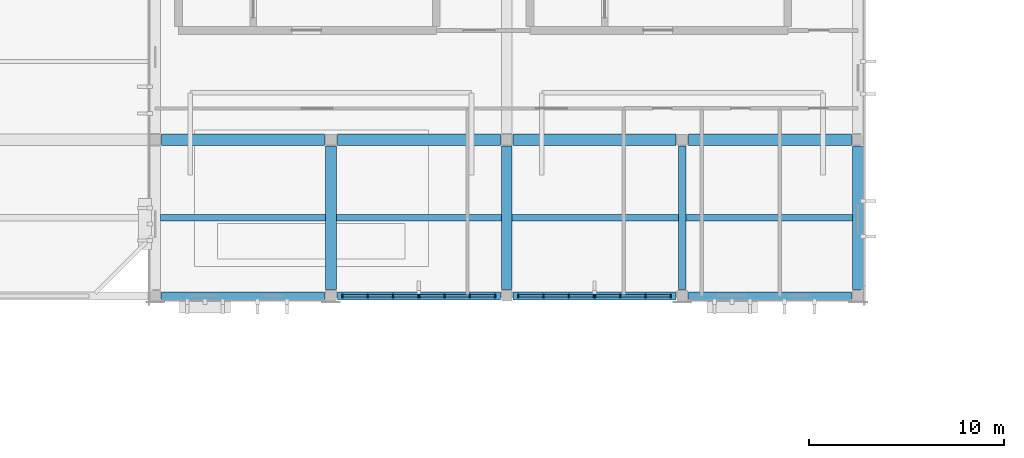
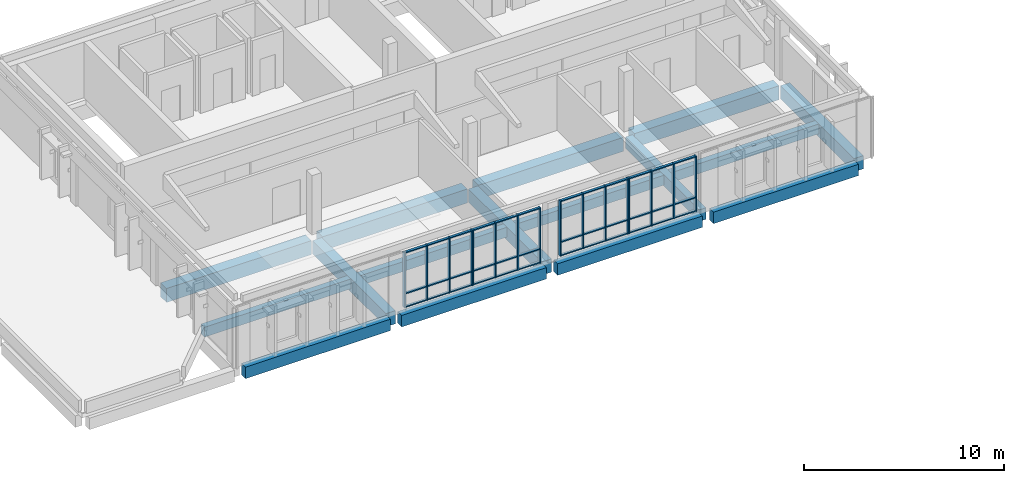
# One storey, part 2 of 12: 52 members, 16 beams, 4 elements without a shape of their own.
"""IFC4 building model written with IfcOpenShell, lengths in metres."""

from ifc_helpers import new_model, si_unit, direction, frame, origin, origin_2d, place, context, subcontext, project, spatial, rectangle, extrude, material, material_profile, profile_set, type_object, element, aggregate, save


model = new_model("IFC4")

# Units and contexts
model_context = context("Model", 3, precision=1e-05, world=origin(), true_north=direction((0.0, 1.0)))
body_context = subcontext(model_context, "Body", "Model", "MODEL_VIEW")
ifc_project = project(units=[si_unit("LENGTHUNIT", "METRE"), si_unit("AREAUNIT", "SQUARE_METRE"), si_unit("VOLUMEUNIT", "CUBIC_METRE"), si_unit("PLANEANGLEUNIT", "RADIAN"), si_unit("MASSUNIT", "GRAM", prefix="KILO")], contexts=[model_context])

# Site, building, storey
site_placement = place(None, origin())
site = spatial("IfcSite", under=ifc_project, at=site_placement, CompositionType="ELEMENT")
building_placement = place(site_placement, origin())
building = spatial("IfcBuilding", under=site, at=building_placement, Name="Vervanel Yard Central Library", CompositionType="ELEMENT")
storey_placement = place(building_placement, frame((0.0, 0.0, 20.260009765625)))
storey = spatial("IfcBuildingStorey", under=building, at=storey_placement, Name="L05", CompositionType="ELEMENT", Elevation=20.260009765625)

# Beams
ifc_material_1 = material(Name="Concrete C40/50", Category="concrete")
ifc_material_profile_1 = material_profile(ifc_material_1, rectangle(XDim=0.39990234375, YDim=0.699951171875, at=origin_2d()), Name="RC 400x700", Category="concrete")
ifc_profile_set_1 = profile_set([ifc_material_profile_1], Name="Concrete C40/50")
beam_type_1 = type_object("IfcBeamType", Name="Concrete Perimeter Spandrel 400x700", PredefinedType="SPANDREL", material=ifc_profile_set_1)
for number, where, z_axis, x_axis, name in (
    (1, (45.324951171875, 90.0, -0.639892578125), (1.0, 0.0, 0.0), (0.0, 1.0, 0.0), "L05 Girder SP-01 Y=90.0 X=45.0-54.0"),
    (2, (54.324951171875, 90.0, -0.639892578125), (1.0, 0.0, 0.0), (0.0, 1.0, 0.0), "L05 Girder SP-01 Y=90.0 X=54.0-63.0"),
    (3, (63.324951171875, 90.0, -0.639892578125), (1.0, 0.0, 0.0), (0.0, 1.0, 0.0), "L05 Girder SP-01 Y=90.0 X=63.0-72.0"),
    (4, (72.324951171875, 90.0, -0.639892578125), (1.0, 0.0, 0.0), (0.0, 1.0, 0.0), "L05 Girder SP-01 Y=90.0 X=72.0-81.0"),
):
    element("IfcBeam", number, at=place(storey_placement, frame(where, z_axis=z_axis, x_axis=x_axis)), inside=storey, type_object=beam_type_1, Name=name, PredefinedType="SPANDREL", context=body_context, shape_type="SweptSolid", body=[
        extrude(rectangle(XDim=0.39990234375, YDim=0.699951171875, at=origin_2d()), origin(), (0.0, 0.0, 1.0), 8.35009765625),
    ])
beam_placement = place(storey_placement, frame((72.0, 90.324951171875, -0.639892578125), z_axis=(0.0, 1.0, 0.0), x_axis=(-1.0, 0.0, 0.0)))
element("IfcBeam", 5, at=beam_placement, inside=storey, type_object=beam_type_1, Name="L05 Girder SP-01 X=72.0 Y=90.0-98.0", PredefinedType="SPANDREL", context=body_context, shape_type="SweptSolid", body=[
    extrude(rectangle(XDim=0.39990234375, YDim=0.699951171875, at=origin_2d()), origin(), (0.0, 0.0, 1.0), 7.35009765625),
])
ifc_material_profile_2 = material_profile(ifc_material_1, rectangle(XDim=0.550048828125, YDim=0.800048828125, at=origin_2d()), Name="RC 550x800", Category="concrete")
ifc_profile_set_2 = profile_set([ifc_material_profile_2], Name="Concrete C40/50")
beam_type_2 = type_object("IfcBeamType", Name="Concrete Primary Girder 550x800", PredefinedType="BEAM", material=ifc_profile_set_2)
for number, where, z_axis, x_axis, name in (
    (6, (54.0, 90.324951171875, -0.68994140625), (0.0, 1.0, 0.0), (-1.0, 0.0, 0.0), "L05 Girder CB-02 X=54.0 Y=90.0-98.0"),
    (7, (63.0, 90.324951171875, -0.68994140625), (0.0, 1.0, 0.0), (-1.0, 0.0, 0.0), "L05 Girder CB-02 X=63.0 Y=90.0-98.0"),
    (8, (81.0, 90.324951171875, -0.68994140625), (0.0, 1.0, 0.0), (-1.0, 0.0, 0.0), "L05 Girder CB-02 X=81.0 Y=90.0-98.0"),
):
    element("IfcBeam", number, at=place(storey_placement, frame(where, z_axis=z_axis, x_axis=x_axis)), inside=storey, type_object=beam_type_2, Name=name, PredefinedType="BEAM", context=body_context, shape_type="SweptSolid", body=[
        extrude(rectangle(XDim=0.550048828125, YDim=0.800048828125, at=origin_2d()), origin(), (0.0, 0.0, 1.0), 7.35009765625),
    ])
ifc_material_profile_3 = material_profile(ifc_material_1, rectangle(XDim=0.35009765625, YDim=0.60009765625, at=origin_2d()), Name="RC 350x600", Category="concrete")
ifc_profile_set_3 = profile_set([ifc_material_profile_3], Name="Concrete C40/50")
beam_type_3 = type_object("IfcBeamType", Name="Concrete Secondary Joist 350x600", PredefinedType="JOIST", material=ifc_profile_set_3)
for number, where, z_axis, x_axis, name in (
    (9, (45.27490234375, 94.0, -0.590087890625), (1.0, 0.0, 0.0), (0.0, 1.0, 0.0), "L05 Floor Joist CJ-01 Y=94.00 X=45.0-54.0"),
    (10, (54.27490234375, 94.0, -0.590087890625), (1.0, 0.0, 0.0), (0.0, 1.0, 0.0), "L05 Floor Joist CJ-01 Y=94.00 X=54.0-63.0"),
):
    element("IfcBeam", number, at=place(storey_placement, frame(where, z_axis=z_axis, x_axis=x_axis)), inside=storey, type_object=beam_type_3, Name=name, PredefinedType="JOIST", context=body_context, shape_type="SweptSolid", body=[
        extrude(rectangle(XDim=0.35009765625, YDim=0.60009765625, at=origin_2d()), origin(), (0.0, 0.0, 1.0), 8.4501953125),
    ])
for number, where, z_axis, x_axis, name in (
    (11, (63.27490234375, 94.0, -0.590087890625), (1.0, 0.0, 0.0), (0.0, 1.0, 0.0), "L05 Floor Joist CJ-01 Y=94.00 X=63.0-72.0"),
    (12, (72.199951171875, 94.0, -0.590087890625), (1.0, 0.0, 0.0), (0.0, 1.0, 0.0), "L05 Floor Joist CJ-01 Y=94.00 X=72.0-81.0"),
):
    element("IfcBeam", number, at=place(storey_placement, frame(where, z_axis=z_axis, x_axis=x_axis)), inside=storey, type_object=beam_type_3, Name=name, PredefinedType="JOIST", context=body_context, shape_type="SweptSolid", body=[
        extrude(rectangle(XDim=0.35009765625, YDim=0.60009765625, at=origin_2d()), origin(), (0.0, 0.0, 1.0), 8.525146484375),
    ])
ifc_material_2 = material(Name="Concrete C45/55", Category="concrete")
ifc_material_profile_4 = material_profile(ifc_material_2, rectangle(XDim=0.60009765625, YDim=0.85009765625, at=origin_2d()), Name="RC 600x850", Category="concrete")
ifc_profile_set_4 = profile_set([ifc_material_profile_4], Name="Concrete C45/55")
beam_type_4 = type_object("IfcBeamType", Name="Concrete Stack Girder 600x850", PredefinedType="BEAM", material=ifc_profile_set_4)
for number, where, z_axis, x_axis, name in (
    (13, (45.324951171875, 98.0, -0.715087890625), (1.0, 0.0, 0.0), (0.0, 1.0, 0.0), "L05 Girder CB-03 Y=98.0 X=45.0-54.0"),
    (14, (54.324951171875, 98.0, -0.715087890625), (1.0, 0.0, 0.0), (0.0, 1.0, 0.0), "L05 Girder CB-03 Y=98.0 X=54.0-63.0"),
    (15, (63.324951171875, 98.0, -0.715087890625), (1.0, 0.0, 0.0), (0.0, 1.0, 0.0), "L05 Girder CB-03 Y=98.0 X=63.0-72.0"),
    (16, (72.324951171875, 98.0, -0.715087890625), (1.0, 0.0, 0.0), (0.0, 1.0, 0.0), "L05 Girder CB-03 Y=98.0 X=72.0-81.0"),
):
    element("IfcBeam", number, at=place(storey_placement, frame(where, z_axis=z_axis, x_axis=x_axis)), inside=storey, type_object=beam_type_4, Name=name, PredefinedType="BEAM", context=body_context, shape_type="SweptSolid", body=[
        extrude(rectangle(XDim=0.60009765625, YDim=0.85009765625, at=origin_2d()), origin(), (0.0, 0.0, 1.0), 8.35009765625),
    ])

# Curtain wall, members
ifc_material_3 = material(Name="Thermally broken anodized aluminium 6063-T6", Category="aluminium")
curtain_wall_type = type_object("IfcCurtainWallType", Name="Atrium Courtyard Curtain Wall", PredefinedType="NOTDEFINED", material=ifc_material_3)
curtain_wall_1_placement = place(storey_placement, origin())
curtain_wall_1 = element("IfcCurtainWall", 17, at=curtain_wall_1_placement, inside=storey, type_object=curtain_wall_type, Name="L05 Atrium Courtyard Curtain Wall CWR-L05-013", PredefinedType="NOTDEFINED")
ifc_material_profile_5 = material_profile(ifc_material_3, rectangle(XDim=0.06494140625, YDim=0.18994140625, at=origin_2d()), Name="ALU 65x190", Category="aluminium")
ifc_profile_set_5 = profile_set([ifc_material_profile_5], Name="Thermally broken anodized aluminium 6063-T6")
member_type_1 = type_object("IfcMemberType", Name="Curtain Wall Primary Mullion 65x190", PredefinedType="MULLION", material=ifc_profile_set_5)
member_1_placement = place(storey_placement, frame((54.592529296875, 90.0, 0.0), z_axis=(0.0, 0.0, 1.0), x_axis=(1.0, 0.0, 0.0)))
member_1 = element("IfcMember", 18, at=member_1_placement, type_object=member_type_1, Name="CWR-L05-013 Mullion 1", PredefinedType="MULLION", context=body_context, shape_type="SweptSolid", body=[
    extrude(rectangle(XDim=0.06494140625, YDim=0.18994140625, at=origin_2d()), origin(), (0.0, 0.0, 1.0), 3.369873046875),
])
member_2_placement = place(storey_placement, frame((55.88427734375, 90.0, 0.0), z_axis=(0.0, 0.0, 1.0), x_axis=(1.0, 0.0, 0.0)))
member_2 = element("IfcMember", 19, at=member_2_placement, type_object=member_type_1, Name="CWR-L05-013 Mullion 2", PredefinedType="MULLION", context=body_context, shape_type="SweptSolid", body=[
    extrude(rectangle(XDim=0.06494140625, YDim=0.18994140625, at=origin_2d()), origin(), (0.0, 0.0, 1.0), 3.369873046875),
])
member_3_placement = place(storey_placement, frame((57.17578125, 90.0, 0.0), z_axis=(0.0, 0.0, 1.0), x_axis=(1.0, 0.0, 0.0)))
member_3 = element("IfcMember", 20, at=member_3_placement, type_object=member_type_1, Name="CWR-L05-013 Mullion 3", PredefinedType="MULLION", context=body_context, shape_type="SweptSolid", body=[
    extrude(rectangle(XDim=0.06494140625, YDim=0.18994140625, at=origin_2d()), origin(), (0.0, 0.0, 1.0), 3.369873046875),
])
member_4_placement = place(storey_placement, frame((58.467529296875, 90.0, 0.0), z_axis=(0.0, 0.0, 1.0), x_axis=(1.0, 0.0, 0.0)))
member_4 = element("IfcMember", 21, at=member_4_placement, type_object=member_type_1, Name="CWR-L05-013 Mullion 4", PredefinedType="MULLION", context=body_context, shape_type="SweptSolid", body=[
    extrude(rectangle(XDim=0.06494140625, YDim=0.18994140625, at=origin_2d()), origin(), (0.0, 0.0, 1.0), 3.369873046875),
])

curtain_wall_2_placement = place(storey_placement, origin())
curtain_wall_2 = element("IfcCurtainWall", 22, at=curtain_wall_2_placement, inside=storey, type_object=curtain_wall_type, Name="L05 Atrium Courtyard Curtain Wall CWR-L05-014", PredefinedType="NOTDEFINED")
member_5_placement = place(storey_placement, frame((58.532470703125, 90.0, 0.0), z_axis=(0.0, 0.0, 1.0), x_axis=(1.0, 0.0, 0.0)))
member_5 = element("IfcMember", 23, at=member_5_placement, type_object=member_type_1, Name="CWR-L05-014 Mullion 1", PredefinedType="MULLION", context=body_context, shape_type="SweptSolid", body=[
    extrude(rectangle(XDim=0.06494140625, YDim=0.18994140625, at=origin_2d()), origin(), (0.0, 0.0, 1.0), 3.369873046875),
])
member_6_placement = place(storey_placement, frame((59.82421875, 90.0, 0.0), z_axis=(0.0, 0.0, 1.0), x_axis=(1.0, 0.0, 0.0)))
member_6 = element("IfcMember", 24, at=member_6_placement, type_object=member_type_1, Name="CWR-L05-014 Mullion 2", PredefinedType="MULLION", context=body_context, shape_type="SweptSolid", body=[
    extrude(rectangle(XDim=0.06494140625, YDim=0.18994140625, at=origin_2d()), origin(), (0.0, 0.0, 1.0), 3.369873046875),
])
member_7_placement = place(storey_placement, frame((61.11572265625, 90.0, 0.0), z_axis=(0.0, 0.0, 1.0), x_axis=(1.0, 0.0, 0.0)))
member_7 = element("IfcMember", 25, at=member_7_placement, type_object=member_type_1, Name="CWR-L05-014 Mullion 3", PredefinedType="MULLION", context=body_context, shape_type="SweptSolid", body=[
    extrude(rectangle(XDim=0.06494140625, YDim=0.18994140625, at=origin_2d()), origin(), (0.0, 0.0, 1.0), 3.369873046875),
])
member_8_placement = place(storey_placement, frame((62.407470703125, 90.0, 0.0), z_axis=(0.0, 0.0, 1.0), x_axis=(1.0, 0.0, 0.0)))
member_8 = element("IfcMember", 26, at=member_8_placement, type_object=member_type_1, Name="CWR-L05-014 Mullion 4", PredefinedType="MULLION", context=body_context, shape_type="SweptSolid", body=[
    extrude(rectangle(XDim=0.06494140625, YDim=0.18994140625, at=origin_2d()), origin(), (0.0, 0.0, 1.0), 3.369873046875),
])

curtain_wall_3_placement = place(storey_placement, origin())
curtain_wall_3 = element("IfcCurtainWall", 27, at=curtain_wall_3_placement, inside=storey, type_object=curtain_wall_type, Name="L05 Atrium Courtyard Curtain Wall CWR-L05-015", PredefinedType="NOTDEFINED")
member_9_placement = place(storey_placement, frame((63.592529296875, 90.0, 0.0), z_axis=(0.0, 0.0, 1.0), x_axis=(1.0, 0.0, 0.0)))
member_9 = element("IfcMember", 28, at=member_9_placement, type_object=member_type_1, Name="CWR-L05-015 Mullion 1", PredefinedType="MULLION", context=body_context, shape_type="SweptSolid", body=[
    extrude(rectangle(XDim=0.06494140625, YDim=0.18994140625, at=origin_2d()), origin(), (0.0, 0.0, 1.0), 3.369873046875),
])
member_10_placement = place(storey_placement, frame((64.88427734375, 90.0, 0.0), z_axis=(0.0, 0.0, 1.0), x_axis=(1.0, 0.0, 0.0)))
member_10 = element("IfcMember", 29, at=member_10_placement, type_object=member_type_1, Name="CWR-L05-015 Mullion 2", PredefinedType="MULLION", context=body_context, shape_type="SweptSolid", body=[
    extrude(rectangle(XDim=0.06494140625, YDim=0.18994140625, at=origin_2d()), origin(), (0.0, 0.0, 1.0), 3.369873046875),
])
member_11_placement = place(storey_placement, frame((66.17578125, 90.0, 0.0), z_axis=(0.0, 0.0, 1.0), x_axis=(1.0, 0.0, 0.0)))
member_11 = element("IfcMember", 30, at=member_11_placement, type_object=member_type_1, Name="CWR-L05-015 Mullion 3", PredefinedType="MULLION", context=body_context, shape_type="SweptSolid", body=[
    extrude(rectangle(XDim=0.06494140625, YDim=0.18994140625, at=origin_2d()), origin(), (0.0, 0.0, 1.0), 3.369873046875),
])
member_12_placement = place(storey_placement, frame((67.467529296875, 90.0, 0.0), z_axis=(0.0, 0.0, 1.0), x_axis=(1.0, 0.0, 0.0)))
member_12 = element("IfcMember", 31, at=member_12_placement, type_object=member_type_1, Name="CWR-L05-015 Mullion 4", PredefinedType="MULLION", context=body_context, shape_type="SweptSolid", body=[
    extrude(rectangle(XDim=0.06494140625, YDim=0.18994140625, at=origin_2d()), origin(), (0.0, 0.0, 1.0), 3.369873046875),
])

curtain_wall_4_placement = place(storey_placement, origin())
curtain_wall_4 = element("IfcCurtainWall", 32, at=curtain_wall_4_placement, inside=storey, type_object=curtain_wall_type, Name="L05 Atrium Courtyard Curtain Wall CWR-L05-016", PredefinedType="NOTDEFINED")
member_13_placement = place(storey_placement, frame((67.532470703125, 90.0, 0.0), z_axis=(0.0, 0.0, 1.0), x_axis=(1.0, 0.0, 0.0)))
member_13 = element("IfcMember", 33, at=member_13_placement, type_object=member_type_1, Name="CWR-L05-016 Mullion 1", PredefinedType="MULLION", context=body_context, shape_type="SweptSolid", body=[
    extrude(rectangle(XDim=0.06494140625, YDim=0.18994140625, at=origin_2d()), origin(), (0.0, 0.0, 1.0), 3.369873046875),
])
member_14_placement = place(storey_placement, frame((68.82421875, 90.0, 0.0), z_axis=(0.0, 0.0, 1.0), x_axis=(1.0, 0.0, 0.0)))
member_14 = element("IfcMember", 34, at=member_14_placement, type_object=member_type_1, Name="CWR-L05-016 Mullion 2", PredefinedType="MULLION", context=body_context, shape_type="SweptSolid", body=[
    extrude(rectangle(XDim=0.06494140625, YDim=0.18994140625, at=origin_2d()), origin(), (0.0, 0.0, 1.0), 3.369873046875),
])
member_15_placement = place(storey_placement, frame((70.11572265625, 90.0, 0.0), z_axis=(0.0, 0.0, 1.0), x_axis=(1.0, 0.0, 0.0)))
member_15 = element("IfcMember", 35, at=member_15_placement, type_object=member_type_1, Name="CWR-L05-016 Mullion 3", PredefinedType="MULLION", context=body_context, shape_type="SweptSolid", body=[
    extrude(rectangle(XDim=0.06494140625, YDim=0.18994140625, at=origin_2d()), origin(), (0.0, 0.0, 1.0), 3.369873046875),
])
member_16_placement = place(storey_placement, frame((71.407470703125, 90.0, 0.0), z_axis=(0.0, 0.0, 1.0), x_axis=(1.0, 0.0, 0.0)))
member_16 = element("IfcMember", 36, at=member_16_placement, type_object=member_type_1, Name="CWR-L05-016 Mullion 4", PredefinedType="MULLION", context=body_context, shape_type="SweptSolid", body=[
    extrude(rectangle(XDim=0.06494140625, YDim=0.18994140625, at=origin_2d()), origin(), (0.0, 0.0, 1.0), 3.369873046875),
])

# Member
ifc_material_profile_6 = material_profile(ifc_material_3, rectangle(XDim=0.06494140625, YDim=0.139892578125, at=origin_2d()), Name="ALU 65x140", Category="aluminium")
ifc_profile_set_6 = profile_set([ifc_material_profile_6], Name="Thermally broken anodized aluminium 6063-T6")
member_type_2 = type_object("IfcMemberType", Name="Curtain Wall Transom 65x140", PredefinedType="NOTDEFINED", material=ifc_profile_set_6)
member_17_placement = place(storey_placement, frame((54.625, 90.0, 0.032470703125), z_axis=(1.0, 0.0, 0.0), x_axis=(0.0, 0.0, 1.0)))
member_17 = element("IfcMember", 37, at=member_17_placement, type_object=member_type_2, Name="CWR-L05-013 Transom B1-T1", ObjectType="TRANSOM", PredefinedType="USERDEFINED", context=body_context, shape_type="SweptSolid", body=[
    extrude(rectangle(XDim=0.06494140625, YDim=0.139892578125, at=origin_2d()), origin(), (0.0, 0.0, 1.0), 1.2265625),
])

member_18_placement = place(storey_placement, frame((54.625, 90.0, 0.85009765625), z_axis=(1.0, 0.0, 0.0), x_axis=(0.0, 0.0, 1.0)))
member_18 = element("IfcMember", 38, at=member_18_placement, type_object=member_type_2, Name="CWR-L05-013 Transom B1-T2", ObjectType="TRANSOM", PredefinedType="USERDEFINED", context=body_context, shape_type="SweptSolid", body=[
    extrude(rectangle(XDim=0.06494140625, YDim=0.139892578125, at=origin_2d()), origin(), (0.0, 0.0, 1.0), 1.2265625),
])

member_19_placement = place(storey_placement, frame((54.625, 90.0, 3.33740234375), z_axis=(1.0, 0.0, 0.0), x_axis=(0.0, 0.0, 1.0)))
member_19 = element("IfcMember", 39, at=member_19_placement, type_object=member_type_2, Name="CWR-L05-013 Transom B1-T3", ObjectType="TRANSOM", PredefinedType="USERDEFINED", context=body_context, shape_type="SweptSolid", body=[
    extrude(rectangle(XDim=0.06494140625, YDim=0.139892578125, at=origin_2d()), origin(), (0.0, 0.0, 1.0), 1.2265625),
])

member_20_placement = place(storey_placement, frame((55.916748046875, 90.0, 0.032470703125), z_axis=(1.0, 0.0, 0.0), x_axis=(0.0, 0.0, 1.0)))
member_20 = element("IfcMember", 40, at=member_20_placement, type_object=member_type_2, Name="CWR-L05-013 Transom B2-T1", ObjectType="TRANSOM", PredefinedType="USERDEFINED", context=body_context, shape_type="SweptSolid", body=[
    extrude(rectangle(XDim=0.06494140625, YDim=0.139892578125, at=origin_2d()), origin(), (0.0, 0.0, 1.0), 1.2265625),
])

member_21_placement = place(storey_placement, frame((55.916748046875, 90.0, 0.85009765625), z_axis=(1.0, 0.0, 0.0), x_axis=(0.0, 0.0, 1.0)))
member_21 = element("IfcMember", 41, at=member_21_placement, type_object=member_type_2, Name="CWR-L05-013 Transom B2-T2", ObjectType="TRANSOM", PredefinedType="USERDEFINED", context=body_context, shape_type="SweptSolid", body=[
    extrude(rectangle(XDim=0.06494140625, YDim=0.139892578125, at=origin_2d()), origin(), (0.0, 0.0, 1.0), 1.2265625),
])

member_22_placement = place(storey_placement, frame((55.916748046875, 90.0, 3.33740234375), z_axis=(1.0, 0.0, 0.0), x_axis=(0.0, 0.0, 1.0)))
member_22 = element("IfcMember", 42, at=member_22_placement, type_object=member_type_2, Name="CWR-L05-013 Transom B2-T3", ObjectType="TRANSOM", PredefinedType="USERDEFINED", context=body_context, shape_type="SweptSolid", body=[
    extrude(rectangle(XDim=0.06494140625, YDim=0.139892578125, at=origin_2d()), origin(), (0.0, 0.0, 1.0), 1.2265625),
])

member_23_placement = place(storey_placement, frame((57.208251953125, 90.0, 0.032470703125), z_axis=(1.0, 0.0, 0.0), x_axis=(0.0, 0.0, 1.0)))
member_23 = element("IfcMember", 43, at=member_23_placement, type_object=member_type_2, Name="CWR-L05-013 Transom B3-T1", ObjectType="TRANSOM", PredefinedType="USERDEFINED", context=body_context, shape_type="SweptSolid", body=[
    extrude(rectangle(XDim=0.06494140625, YDim=0.139892578125, at=origin_2d()), origin(), (0.0, 0.0, 1.0), 1.226806640625),
])

member_24_placement = place(storey_placement, frame((57.208251953125, 90.0, 0.85009765625), z_axis=(1.0, 0.0, 0.0), x_axis=(0.0, 0.0, 1.0)))
member_24 = element("IfcMember", 44, at=member_24_placement, type_object=member_type_2, Name="CWR-L05-013 Transom B3-T2", ObjectType="TRANSOM", PredefinedType="USERDEFINED", context=body_context, shape_type="SweptSolid", body=[
    extrude(rectangle(XDim=0.06494140625, YDim=0.139892578125, at=origin_2d()), origin(), (0.0, 0.0, 1.0), 1.226806640625),
])

member_25_placement = place(storey_placement, frame((57.208251953125, 90.0, 3.33740234375), z_axis=(1.0, 0.0, 0.0), x_axis=(0.0, 0.0, 1.0)))
member_25 = element("IfcMember", 45, at=member_25_placement, type_object=member_type_2, Name="CWR-L05-013 Transom B3-T3", ObjectType="TRANSOM", PredefinedType="USERDEFINED", context=body_context, shape_type="SweptSolid", body=[
    extrude(rectangle(XDim=0.06494140625, YDim=0.139892578125, at=origin_2d()), origin(), (0.0, 0.0, 1.0), 1.226806640625),
])

aggregate(curtain_wall_1, [member_1, member_2, member_3, member_4, member_17, member_18, member_19, member_20, member_21, member_22, member_23, member_24, member_25])

member_26_placement = place(storey_placement, frame((58.56494140625, 90.0, 0.032470703125), z_axis=(1.0, 0.0, 0.0), x_axis=(0.0, 0.0, 1.0)))
member_26 = element("IfcMember", 46, at=member_26_placement, type_object=member_type_2, Name="CWR-L05-014 Transom B1-T1", ObjectType="TRANSOM", PredefinedType="USERDEFINED", context=body_context, shape_type="SweptSolid", body=[
    extrude(rectangle(XDim=0.06494140625, YDim=0.139892578125, at=origin_2d()), origin(), (0.0, 0.0, 1.0), 1.226806640625),
])

member_27_placement = place(storey_placement, frame((58.56494140625, 90.0, 0.85009765625), z_axis=(1.0, 0.0, 0.0), x_axis=(0.0, 0.0, 1.0)))
member_27 = element("IfcMember", 47, at=member_27_placement, type_object=member_type_2, Name="CWR-L05-014 Transom B1-T2", ObjectType="TRANSOM", PredefinedType="USERDEFINED", context=body_context, shape_type="SweptSolid", body=[
    extrude(rectangle(XDim=0.06494140625, YDim=0.139892578125, at=origin_2d()), origin(), (0.0, 0.0, 1.0), 1.226806640625),
])

member_28_placement = place(storey_placement, frame((58.56494140625, 90.0, 3.33740234375), z_axis=(1.0, 0.0, 0.0), x_axis=(0.0, 0.0, 1.0)))
member_28 = element("IfcMember", 48, at=member_28_placement, type_object=member_type_2, Name="CWR-L05-014 Transom B1-T3", ObjectType="TRANSOM", PredefinedType="USERDEFINED", context=body_context, shape_type="SweptSolid", body=[
    extrude(rectangle(XDim=0.06494140625, YDim=0.139892578125, at=origin_2d()), origin(), (0.0, 0.0, 1.0), 1.226806640625),
])

member_29_placement = place(storey_placement, frame((59.856689453125, 90.0, 0.032470703125), z_axis=(1.0, 0.0, 0.0), x_axis=(0.0, 0.0, 1.0)))
member_29 = element("IfcMember", 49, at=member_29_placement, type_object=member_type_2, Name="CWR-L05-014 Transom B2-T1", ObjectType="TRANSOM", PredefinedType="USERDEFINED", context=body_context, shape_type="SweptSolid", body=[
    extrude(rectangle(XDim=0.06494140625, YDim=0.139892578125, at=origin_2d()), origin(), (0.0, 0.0, 1.0), 1.2265625),
])

member_30_placement = place(storey_placement, frame((59.856689453125, 90.0, 0.85009765625), z_axis=(1.0, 0.0, 0.0), x_axis=(0.0, 0.0, 1.0)))
member_30 = element("IfcMember", 50, at=member_30_placement, type_object=member_type_2, Name="CWR-L05-014 Transom B2-T2", ObjectType="TRANSOM", PredefinedType="USERDEFINED", context=body_context, shape_type="SweptSolid", body=[
    extrude(rectangle(XDim=0.06494140625, YDim=0.139892578125, at=origin_2d()), origin(), (0.0, 0.0, 1.0), 1.2265625),
])

member_31_placement = place(storey_placement, frame((59.856689453125, 90.0, 3.33740234375), z_axis=(1.0, 0.0, 0.0), x_axis=(0.0, 0.0, 1.0)))
member_31 = element("IfcMember", 51, at=member_31_placement, type_object=member_type_2, Name="CWR-L05-014 Transom B2-T3", ObjectType="TRANSOM", PredefinedType="USERDEFINED", context=body_context, shape_type="SweptSolid", body=[
    extrude(rectangle(XDim=0.06494140625, YDim=0.139892578125, at=origin_2d()), origin(), (0.0, 0.0, 1.0), 1.2265625),
])

member_32_placement = place(storey_placement, frame((61.1484375, 90.0, 0.032470703125), z_axis=(1.0, 0.0, 0.0), x_axis=(0.0, 0.0, 1.0)))
member_32 = element("IfcMember", 52, at=member_32_placement, type_object=member_type_2, Name="CWR-L05-014 Transom B3-T1", ObjectType="TRANSOM", PredefinedType="USERDEFINED", context=body_context, shape_type="SweptSolid", body=[
    extrude(rectangle(XDim=0.06494140625, YDim=0.139892578125, at=origin_2d()), origin(), (0.0, 0.0, 1.0), 1.2265625),
])

member_33_placement = place(storey_placement, frame((61.1484375, 90.0, 0.85009765625), z_axis=(1.0, 0.0, 0.0), x_axis=(0.0, 0.0, 1.0)))
member_33 = element("IfcMember", 53, at=member_33_placement, type_object=member_type_2, Name="CWR-L05-014 Transom B3-T2", ObjectType="TRANSOM", PredefinedType="USERDEFINED", context=body_context, shape_type="SweptSolid", body=[
    extrude(rectangle(XDim=0.06494140625, YDim=0.139892578125, at=origin_2d()), origin(), (0.0, 0.0, 1.0), 1.2265625),
])

member_34_placement = place(storey_placement, frame((61.1484375, 90.0, 3.33740234375), z_axis=(1.0, 0.0, 0.0), x_axis=(0.0, 0.0, 1.0)))
member_34 = element("IfcMember", 54, at=member_34_placement, type_object=member_type_2, Name="CWR-L05-014 Transom B3-T3", ObjectType="TRANSOM", PredefinedType="USERDEFINED", context=body_context, shape_type="SweptSolid", body=[
    extrude(rectangle(XDim=0.06494140625, YDim=0.139892578125, at=origin_2d()), origin(), (0.0, 0.0, 1.0), 1.2265625),
])

aggregate(curtain_wall_2, [member_5, member_6, member_7, member_8, member_26, member_27, member_28, member_29, member_30, member_31, member_32, member_33, member_34])

member_35_placement = place(storey_placement, frame((63.625, 90.0, 0.032470703125), z_axis=(1.0, 0.0, 0.0), x_axis=(0.0, 0.0, 1.0)))
member_35 = element("IfcMember", 55, at=member_35_placement, type_object=member_type_2, Name="CWR-L05-015 Transom B1-T1", ObjectType="TRANSOM", PredefinedType="USERDEFINED", context=body_context, shape_type="SweptSolid", body=[
    extrude(rectangle(XDim=0.06494140625, YDim=0.139892578125, at=origin_2d()), origin(), (0.0, 0.0, 1.0), 1.2265625),
])

member_36_placement = place(storey_placement, frame((63.625, 90.0, 0.85009765625), z_axis=(1.0, 0.0, 0.0), x_axis=(0.0, 0.0, 1.0)))
member_36 = element("IfcMember", 56, at=member_36_placement, type_object=member_type_2, Name="CWR-L05-015 Transom B1-T2", ObjectType="TRANSOM", PredefinedType="USERDEFINED", context=body_context, shape_type="SweptSolid", body=[
    extrude(rectangle(XDim=0.06494140625, YDim=0.139892578125, at=origin_2d()), origin(), (0.0, 0.0, 1.0), 1.2265625),
])

member_37_placement = place(storey_placement, frame((63.625, 90.0, 3.33740234375), z_axis=(1.0, 0.0, 0.0), x_axis=(0.0, 0.0, 1.0)))
member_37 = element("IfcMember", 57, at=member_37_placement, type_object=member_type_2, Name="CWR-L05-015 Transom B1-T3", ObjectType="TRANSOM", PredefinedType="USERDEFINED", context=body_context, shape_type="SweptSolid", body=[
    extrude(rectangle(XDim=0.06494140625, YDim=0.139892578125, at=origin_2d()), origin(), (0.0, 0.0, 1.0), 1.2265625),
])

member_38_placement = place(storey_placement, frame((64.916748046875, 90.0, 0.032470703125), z_axis=(1.0, 0.0, 0.0), x_axis=(0.0, 0.0, 1.0)))
member_38 = element("IfcMember", 58, at=member_38_placement, type_object=member_type_2, Name="CWR-L05-015 Transom B2-T1", ObjectType="TRANSOM", PredefinedType="USERDEFINED", context=body_context, shape_type="SweptSolid", body=[
    extrude(rectangle(XDim=0.06494140625, YDim=0.139892578125, at=origin_2d()), origin(), (0.0, 0.0, 1.0), 1.2265625),
])

member_39_placement = place(storey_placement, frame((64.916748046875, 90.0, 0.85009765625), z_axis=(1.0, 0.0, 0.0), x_axis=(0.0, 0.0, 1.0)))
member_39 = element("IfcMember", 59, at=member_39_placement, type_object=member_type_2, Name="CWR-L05-015 Transom B2-T2", ObjectType="TRANSOM", PredefinedType="USERDEFINED", context=body_context, shape_type="SweptSolid", body=[
    extrude(rectangle(XDim=0.06494140625, YDim=0.139892578125, at=origin_2d()), origin(), (0.0, 0.0, 1.0), 1.2265625),
])

member_40_placement = place(storey_placement, frame((64.916748046875, 90.0, 3.33740234375), z_axis=(1.0, 0.0, 0.0), x_axis=(0.0, 0.0, 1.0)))
member_40 = element("IfcMember", 60, at=member_40_placement, type_object=member_type_2, Name="CWR-L05-015 Transom B2-T3", ObjectType="TRANSOM", PredefinedType="USERDEFINED", context=body_context, shape_type="SweptSolid", body=[
    extrude(rectangle(XDim=0.06494140625, YDim=0.139892578125, at=origin_2d()), origin(), (0.0, 0.0, 1.0), 1.2265625),
])

member_41_placement = place(storey_placement, frame((66.208251953125, 90.0, 0.032470703125), z_axis=(1.0, 0.0, 0.0), x_axis=(0.0, 0.0, 1.0)))
member_41 = element("IfcMember", 61, at=member_41_placement, type_object=member_type_2, Name="CWR-L05-015 Transom B3-T1", ObjectType="TRANSOM", PredefinedType="USERDEFINED", context=body_context, shape_type="SweptSolid", body=[
    extrude(rectangle(XDim=0.06494140625, YDim=0.139892578125, at=origin_2d()), origin(), (0.0, 0.0, 1.0), 1.226806640625),
])

member_42_placement = place(storey_placement, frame((66.208251953125, 90.0, 0.85009765625), z_axis=(1.0, 0.0, 0.0), x_axis=(0.0, 0.0, 1.0)))
member_42 = element("IfcMember", 62, at=member_42_placement, type_object=member_type_2, Name="CWR-L05-015 Transom B3-T2", ObjectType="TRANSOM", PredefinedType="USERDEFINED", context=body_context, shape_type="SweptSolid", body=[
    extrude(rectangle(XDim=0.06494140625, YDim=0.139892578125, at=origin_2d()), origin(), (0.0, 0.0, 1.0), 1.226806640625),
])

member_43_placement = place(storey_placement, frame((66.208251953125, 90.0, 3.33740234375), z_axis=(1.0, 0.0, 0.0), x_axis=(0.0, 0.0, 1.0)))
member_43 = element("IfcMember", 63, at=member_43_placement, type_object=member_type_2, Name="CWR-L05-015 Transom B3-T3", ObjectType="TRANSOM", PredefinedType="USERDEFINED", context=body_context, shape_type="SweptSolid", body=[
    extrude(rectangle(XDim=0.06494140625, YDim=0.139892578125, at=origin_2d()), origin(), (0.0, 0.0, 1.0), 1.226806640625),
])

aggregate(curtain_wall_3, [member_9, member_10, member_11, member_12, member_35, member_36, member_37, member_38, member_39, member_40, member_41, member_42, member_43])

member_44_placement = place(storey_placement, frame((67.56494140625, 90.0, 0.032470703125), z_axis=(1.0, 0.0, 0.0), x_axis=(0.0, 0.0, 1.0)))
member_44 = element("IfcMember", 64, at=member_44_placement, type_object=member_type_2, Name="CWR-L05-016 Transom B1-T1", ObjectType="TRANSOM", PredefinedType="USERDEFINED", context=body_context, shape_type="SweptSolid", body=[
    extrude(rectangle(XDim=0.06494140625, YDim=0.139892578125, at=origin_2d()), origin(), (0.0, 0.0, 1.0), 1.226806640625),
])

member_45_placement = place(storey_placement, frame((67.56494140625, 90.0, 0.85009765625), z_axis=(1.0, 0.0, 0.0), x_axis=(0.0, 0.0, 1.0)))
member_45 = element("IfcMember", 65, at=member_45_placement, type_object=member_type_2, Name="CWR-L05-016 Transom B1-T2", ObjectType="TRANSOM", PredefinedType="USERDEFINED", context=body_context, shape_type="SweptSolid", body=[
    extrude(rectangle(XDim=0.06494140625, YDim=0.139892578125, at=origin_2d()), origin(), (0.0, 0.0, 1.0), 1.226806640625),
])

member_46_placement = place(storey_placement, frame((67.56494140625, 90.0, 3.33740234375), z_axis=(1.0, 0.0, 0.0), x_axis=(0.0, 0.0, 1.0)))
member_46 = element("IfcMember", 66, at=member_46_placement, type_object=member_type_2, Name="CWR-L05-016 Transom B1-T3", ObjectType="TRANSOM", PredefinedType="USERDEFINED", context=body_context, shape_type="SweptSolid", body=[
    extrude(rectangle(XDim=0.06494140625, YDim=0.139892578125, at=origin_2d()), origin(), (0.0, 0.0, 1.0), 1.226806640625),
])

member_47_placement = place(storey_placement, frame((68.856689453125, 90.0, 0.032470703125), z_axis=(1.0, 0.0, 0.0), x_axis=(0.0, 0.0, 1.0)))
member_47 = element("IfcMember", 67, at=member_47_placement, type_object=member_type_2, Name="CWR-L05-016 Transom B2-T1", ObjectType="TRANSOM", PredefinedType="USERDEFINED", context=body_context, shape_type="SweptSolid", body=[
    extrude(rectangle(XDim=0.06494140625, YDim=0.139892578125, at=origin_2d()), origin(), (0.0, 0.0, 1.0), 1.2265625),
])

member_48_placement = place(storey_placement, frame((68.856689453125, 90.0, 0.85009765625), z_axis=(1.0, 0.0, 0.0), x_axis=(0.0, 0.0, 1.0)))
member_48 = element("IfcMember", 68, at=member_48_placement, type_object=member_type_2, Name="CWR-L05-016 Transom B2-T2", ObjectType="TRANSOM", PredefinedType="USERDEFINED", context=body_context, shape_type="SweptSolid", body=[
    extrude(rectangle(XDim=0.06494140625, YDim=0.139892578125, at=origin_2d()), origin(), (0.0, 0.0, 1.0), 1.2265625),
])

member_49_placement = place(storey_placement, frame((68.856689453125, 90.0, 3.33740234375), z_axis=(1.0, 0.0, 0.0), x_axis=(0.0, 0.0, 1.0)))
member_49 = element("IfcMember", 69, at=member_49_placement, type_object=member_type_2, Name="CWR-L05-016 Transom B2-T3", ObjectType="TRANSOM", PredefinedType="USERDEFINED", context=body_context, shape_type="SweptSolid", body=[
    extrude(rectangle(XDim=0.06494140625, YDim=0.139892578125, at=origin_2d()), origin(), (0.0, 0.0, 1.0), 1.2265625),
])

member_50_placement = place(storey_placement, frame((70.1484375, 90.0, 0.032470703125), z_axis=(1.0, 0.0, 0.0), x_axis=(0.0, 0.0, 1.0)))
member_50 = element("IfcMember", 70, at=member_50_placement, type_object=member_type_2, Name="CWR-L05-016 Transom B3-T1", ObjectType="TRANSOM", PredefinedType="USERDEFINED", context=body_context, shape_type="SweptSolid", body=[
    extrude(rectangle(XDim=0.06494140625, YDim=0.139892578125, at=origin_2d()), origin(), (0.0, 0.0, 1.0), 1.2265625),
])

member_51_placement = place(storey_placement, frame((70.1484375, 90.0, 0.85009765625), z_axis=(1.0, 0.0, 0.0), x_axis=(0.0, 0.0, 1.0)))
member_51 = element("IfcMember", 71, at=member_51_placement, type_object=member_type_2, Name="CWR-L05-016 Transom B3-T2", ObjectType="TRANSOM", PredefinedType="USERDEFINED", context=body_context, shape_type="SweptSolid", body=[
    extrude(rectangle(XDim=0.06494140625, YDim=0.139892578125, at=origin_2d()), origin(), (0.0, 0.0, 1.0), 1.2265625),
])

member_52_placement = place(storey_placement, frame((70.1484375, 90.0, 3.33740234375), z_axis=(1.0, 0.0, 0.0), x_axis=(0.0, 0.0, 1.0)))
member_52 = element("IfcMember", 72, at=member_52_placement, type_object=member_type_2, Name="CWR-L05-016 Transom B3-T3", ObjectType="TRANSOM", PredefinedType="USERDEFINED", context=body_context, shape_type="SweptSolid", body=[
    extrude(rectangle(XDim=0.06494140625, YDim=0.139892578125, at=origin_2d()), origin(), (0.0, 0.0, 1.0), 1.2265625),
])

aggregate(curtain_wall_4, [member_13, member_14, member_15, member_16, member_44, member_45, member_46, member_47, member_48, member_49, member_50, member_51, member_52])

save(model, "model.ifc")
